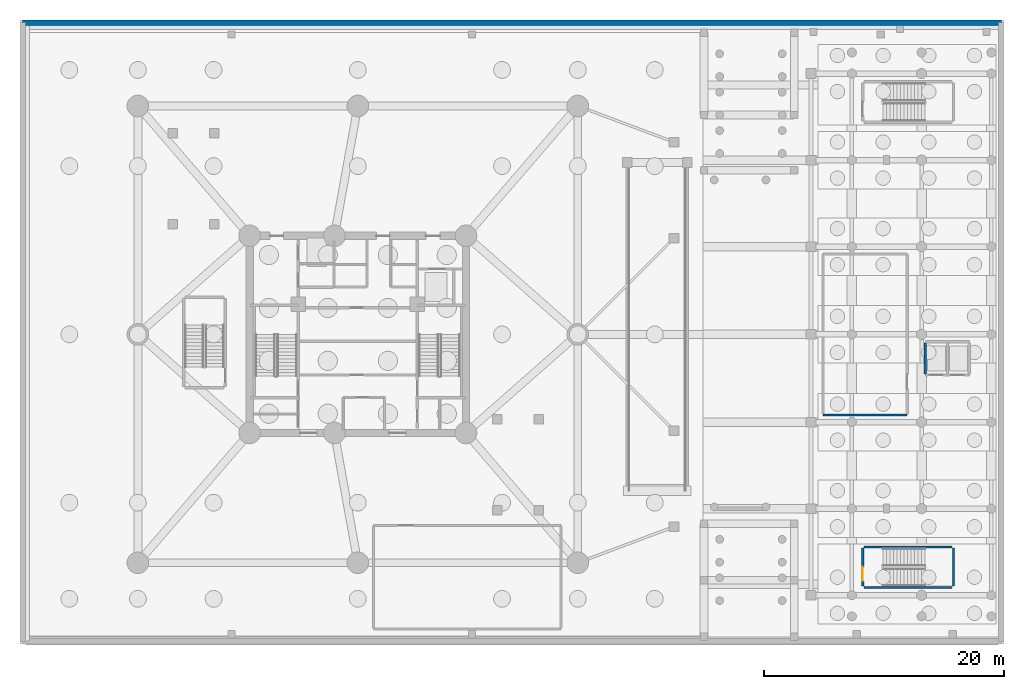
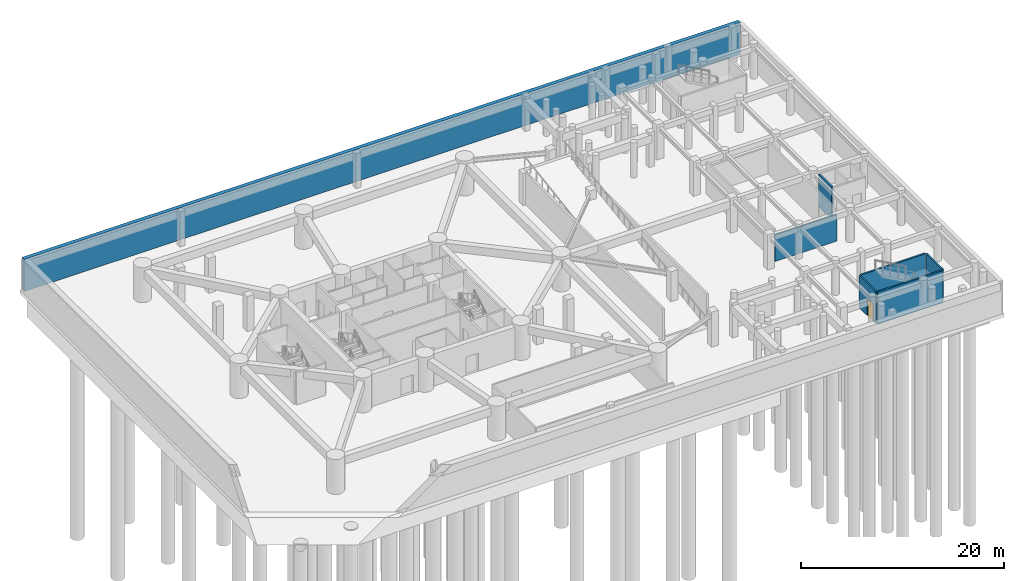
# One storey, part 7 of 13: 7 walls, 1 door, 1 opening.
"""IFC4 building model written with IfcOpenShell, lengths in metres."""

from ifc_helpers import new_model, si_unit, direction, frame, frame_2d, origin, origin_with_axes, place, context, subcontext, project, spatial, rectangle, extrude, source, transform, mapped, material, layer, layer_set, type_object, element, fill, save


model = new_model("IFC4")

# Units and contexts
model_context = context("Model", 3, precision=1e-05, world=origin(), true_north=direction((0.0, 1.0)))
body_context = subcontext(model_context, "Body", "Model", "MODEL_VIEW")
ifc_project = project(units=[si_unit("LENGTHUNIT", "METRE"), si_unit("AREAUNIT", "SQUARE_METRE"), si_unit("VOLUMEUNIT", "CUBIC_METRE"), si_unit("PLANEANGLEUNIT", "RADIAN"), si_unit("MASSUNIT", "GRAM", prefix="KILO")], contexts=[model_context])

# Site, building, storey
site_placement = place(None, origin())
site = spatial("IfcSite", under=ifc_project, at=site_placement, CompositionType="ELEMENT")
building_placement = place(site_placement, origin())
building = spatial("IfcBuilding", under=site, at=building_placement, Name="Karkom Vertical University and Central Library", CompositionType="ELEMENT")
storey_placement = place(building_placement, frame((0.0, 0.0, -8.39990234375)))
storey = spatial("IfcBuildingStorey", under=building, at=storey_placement, Name="B02", CompositionType="ELEMENT", Elevation=-8.39990234375)

# Walls
ifc_material_1 = material(Name="Twin-stud acoustic drywall 180mm", Category="gypsum")
ifc_layer_1 = layer(ifc_material_1, 0.179931640625)
ifc_layer_set_1 = layer_set([ifc_layer_1], Name="Twin-stud acoustic drywall 180mm")
wall_type_1 = type_object("IfcWallType", Name="INT-WL-TEN-180F", PredefinedType="PARTITIONING", material=ifc_layer_set_1)
wall_1_placement = place(storey_placement, frame((67.199951171875, 19.800048828125, 0.0), z_axis=(0.0, 0.0, 1.0), x_axis=(1.0, 0.0, 0.0)))
element("IfcWall", 1, at=wall_1_placement, inside=storey, type_object=wall_type_1, Name="Basement 02 Interior Partition Wall B02-PW-ARCL-S", PredefinedType="PARTITIONING", context=body_context, shape_type="SweptSolid", body=[
    extrude(rectangle(XDim=7.0, YDim=0.179931640625, at=frame_2d((3.5, 0.0))), origin(), (0.0, 0.0, 1.0), 3.199951171875),
])
ifc_material_2 = material(Name="Concrete C50/60", Category="concrete")
ifc_layer_2 = layer(ifc_material_2, 0.449951171875)
ifc_layer_set_2 = layer_set([ifc_layer_2], Name="Concrete C50/60")
wall_type_2 = type_object("IfcWallType", Name="STR-WL-RW-450", PredefinedType="USERDEFINED", material=ifc_layer_set_2)
wall_2_placement = place(storey_placement, frame((82.030029296875, 52.429931640625, 0.0), z_axis=(0.0, 0.0, 1.0), x_axis=(-1.0, 0.0, 0.0)))
element("IfcWall", 2, at=wall_2_placement, inside=storey, type_object=wall_type_2, Name="Basement 02 Perimeter Retaining Wall 3", ObjectType="RETAINING WALL", PredefinedType="USERDEFINED", context=body_context, shape_type="SweptSolid", body=[
    extrude(rectangle(XDim=81.409912109375, YDim=0.449951171875, at=frame_2d((40.705078125, 0.0))), origin(), (0.0, 0.0, 1.0), 3.849853515625),
])
ifc_material_3 = material(Name="Concrete C45/55", Category="concrete")
ifc_layer_3 = layer(ifc_material_3, 0.199951171875)
ifc_layer_set_3 = layer_set([ifc_layer_3], Name="Concrete C45/55")
wall_type_3 = type_object("IfcWallType", Name="STR-WL-ST-200", PredefinedType="SHEAR", material=ifc_layer_set_3)
for number, where, z_axis, x_axis, name in (
    (3, (70.60009765625, 5.445068359375, 0.0), (0.0, 0.0, 1.0), (1.0, 0.0, 0.0), "Basement 02 Core Shaft Wall B02-W-LST1-S"),
    (4, (70.60009765625, 8.81494140625, 0.0), (0.0, 0.0, 1.0), (1.0, 0.0, 0.0), "Basement 02 Core Shaft Wall B02-W-LST1-N"),
):
    element("IfcWall", number, at=place(storey_placement, frame(where, z_axis=z_axis, x_axis=x_axis)), inside=storey, type_object=wall_type_3, Name=name, PredefinedType="SHEAR", context=body_context, shape_type="SweptSolid", body=[
        extrude(rectangle(XDim=7.349853515625, YDim=0.199951171875, at=frame_2d((3.6748046875, 0.0))), origin(), (0.0, 0.0, 1.0), 3.849853515625),
    ])

# Wall, opening, door
wall_3_placement = place(storey_placement, frame((70.4951171875, 5.550048828125, 0.0), z_axis=(0.0, 0.0, 1.0), x_axis=(0.0, 1.0, 0.0)))
wall_3 = element("IfcWall", 5, at=wall_3_placement, inside=storey, type_object=wall_type_3, Name="Basement 02 Core Shaft Wall B02-W-LST1-W", PredefinedType="SHEAR", context=body_context, shape_type="SweptSolid", body=[
    extrude(rectangle(XDim=3.159912109375, YDim=0.199951171875, at=frame_2d((1.580078125, 0.0))), origin(), (0.0, 0.0, 1.0), 3.849853515625),
])
opening_placement = place(wall_3_placement, frame((0.449951171875, 0.0, 0.0)))
opening = element("IfcOpeningElement", 6, at=opening_placement, cuts=wall_3, Name="Opening FD-ST1", PredefinedType="OPENING", context=body_context, shape_type="SweptSolid", body=[
    extrude(rectangle(XDim=1.14990234375, YDim=2.14990234375, at=frame_2d((0.574951171875, 1.074951171875))), frame((0.0, 0.10986328125, 0.0), z_axis=(0.0, -1.0, 0.0), x_axis=(1.0, 0.0, 0.0)), (0.0, 0.0, 1.0), 0.219970703125),
])
ifc_material_4 = material(Name="Painted steel acoustic fire door", Category="steel")
door_type = type_object("IfcDoorType", Name="INT-DR-ST1", OperationType="NOTDEFINED", PredefinedType="DOOR", material=ifc_material_4)
shared_shape = source(origin_with_axes(), body_context, "Body", "SweptSolid", [
    extrude(rectangle(XDim=1.14990234375, YDim=2.14990234375, at=frame_2d((0.574951171875, 1.074951171875))), frame((0.0, 0.02490234375, 0.0), z_axis=(0.0, -1.0, 0.0), x_axis=(1.0, 0.0, 0.0)), (0.0, 0.0, 1.0), 0.050048828125),
])
door_placement = place(opening_placement, origin())
door = element("IfcDoor", 7, at=door_placement, inside=storey, type_object=door_type, Name="Basement 02 Library Stair LST1 Door", OperationType="SINGLE_SWING_RIGHT", OverallHeight=2.14990234375, OverallWidth=1.14990234375, PredefinedType="DOOR", context=body_context, shape_type="MappedRepresentation", body=[
    mapped(shared_shape, transform((0.0, 0.0, 0.0), scale=1.0)),
])
fill(opening, door)

# Walls
wall_4_placement = place(storey_placement, frame((78.054931640625, 5.550048828125, 0.0), z_axis=(0.0, 0.0, 1.0), x_axis=(0.0, 1.0, 0.0)))
element("IfcWall", 8, at=wall_4_placement, inside=storey, type_object=wall_type_3, Name="Basement 02 Core Shaft Wall B02-W-LST1-E", PredefinedType="SHEAR", context=body_context, shape_type="SweptSolid", body=[
    extrude(rectangle(XDim=3.159912109375, YDim=0.199951171875, at=frame_2d((1.580078125, 0.0))), origin(), (0.0, 0.0, 1.0), 3.849853515625),
])
wall_5_placement = place(storey_placement, frame((75.719970703125, 23.219970703125, 0.0), z_axis=(0.0, 0.0, 1.0), x_axis=(0.0, 1.0, 0.0)))
element("IfcWall", 9, at=wall_5_placement, inside=storey, type_object=wall_type_3, Name="Basement 02 Core Shaft Wall B02-W-LL-W", PredefinedType="SHEAR", context=body_context, shape_type="SweptSolid", body=[
    extrude(rectangle(XDim=2.56005859375, YDim=0.199951171875, at=frame_2d((1.280029296875, 0.0))), origin(), (0.0, 0.0, 1.0), 3.849853515625),
])

save(model, "model.ifc")
